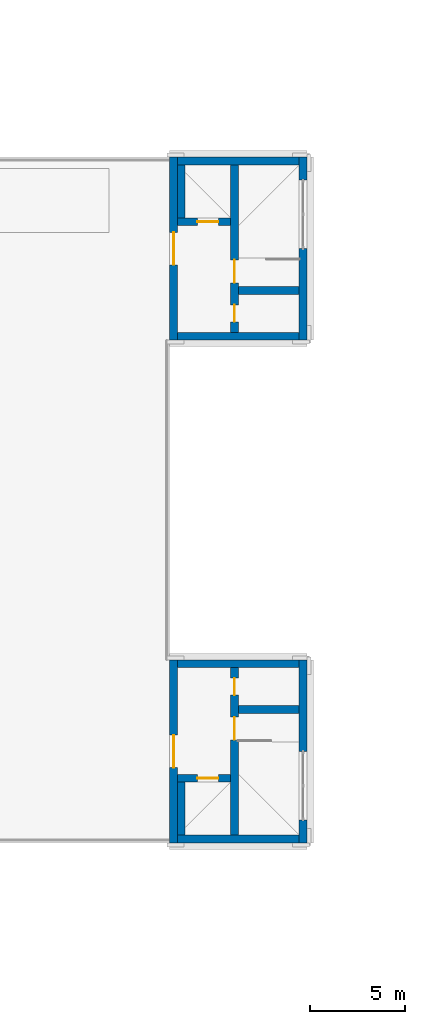
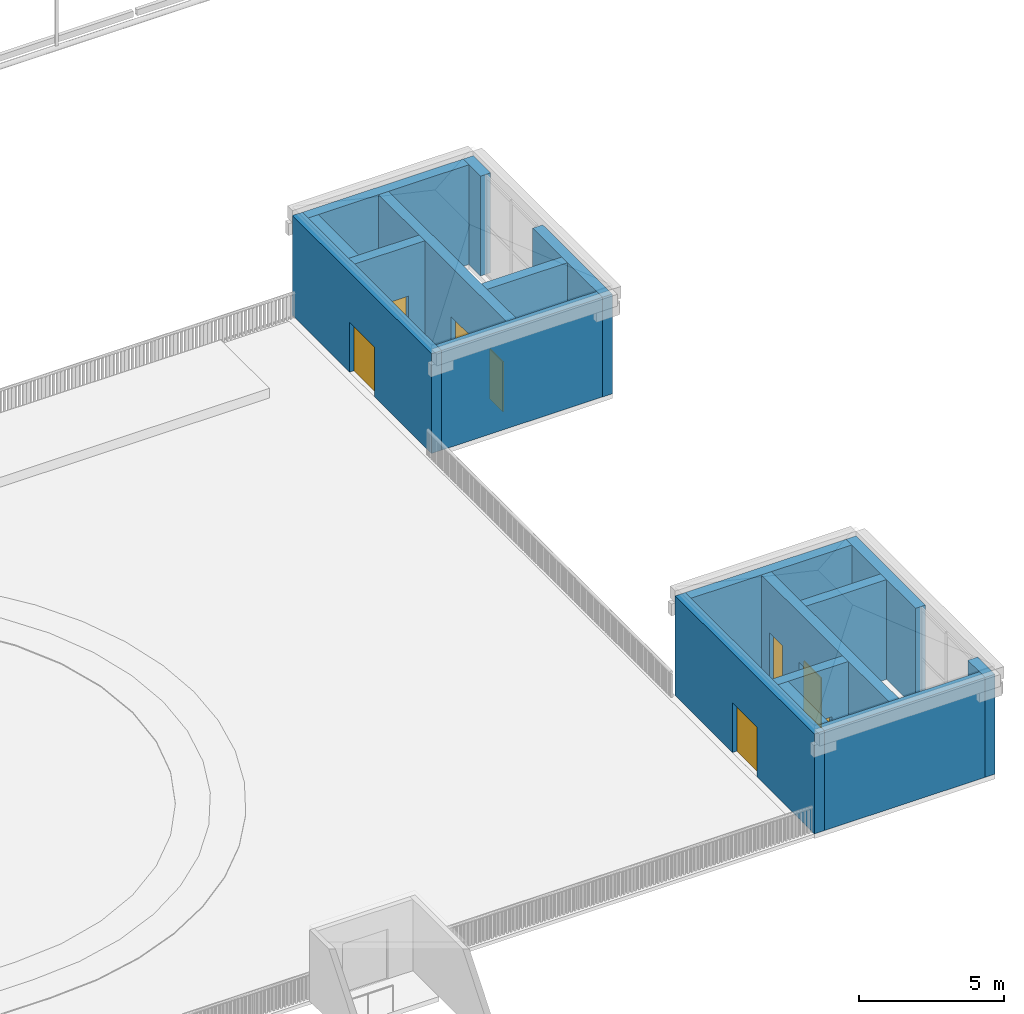
# One storey, part 74 of 127: 18 walls, 8 doors, 8 openings.
"""IFC4 building model written with IfcOpenShell, lengths in metres."""

from ifc_helpers import new_model, si_unit, direction, frame, frame_2d, origin, place, context, subcontext, project, spatial, rectangle, extrude, material, layer, layer_set, type_object, element, fill, save


model = new_model("IFC4")

# Units and contexts
model_context = context("Model", 3, precision=1e-05, world=origin(), true_north=direction((0.0, 1.0)))
body_context = subcontext(model_context, "Body", "Model", "MODEL_VIEW")
ifc_project = project(units=[si_unit("LENGTHUNIT", "METRE"), si_unit("AREAUNIT", "SQUARE_METRE"), si_unit("VOLUMEUNIT", "CUBIC_METRE"), si_unit("PLANEANGLEUNIT", "RADIAN"), si_unit("MASSUNIT", "GRAM", prefix="KILO")], contexts=[model_context])

# Site, building, storey
site_placement = place(None, origin())
site = spatial("IfcSite", under=ifc_project, at=site_placement, CompositionType="ELEMENT")
building_placement = place(site_placement, origin())
building = spatial("IfcBuilding", under=site, at=building_placement, Name="Verrick Yard Athletic Hall", CompositionType="ELEMENT")
storey_placement = place(building_placement, frame((0.0, 0.0, 14.0)))
storey = spatial("IfcBuildingStorey", under=building, at=storey_placement, Name="L03", CompositionType="ELEMENT", Elevation=14.0)

# Wall, openings, doors
ifc_material_1 = material(Name="Concrete 35 MPa", Category="concrete")
ifc_layer_1 = layer(ifc_material_1, 0.39990234375)
ifc_layer_set_1 = layer_set([ifc_layer_1], Name="Core wall CR400")
wall_type_1 = type_object("IfcWallType", Name="Core wall CR400", PredefinedType="SHEAR", material=ifc_layer_set_1)
wall_1_placement = place(storey_placement, frame((162.199951171875, 18.39990234375, 0.0), z_axis=(0.0, 0.0, 1.0), x_axis=(0.0, 1.0, 0.0)))
wall_1 = element("IfcWall", 1, at=wall_1_placement, inside=storey, type_object=wall_type_1, Name="CORE-CB3-WP-L03", PredefinedType="SHEAR", context=body_context, shape_type="SweptSolid", body=[
    extrude(rectangle(XDim=8.800048828125, YDim=0.39990234375, at=frame_2d((4.39990234375, 0.0))), origin(), (0.0, 0.0, 1.0), 4.199951171875),
])
opening_1_placement = place(wall_1_placement, frame((5.0, 0.0, 0.0)))
opening_1 = element("IfcOpeningElement", 2, at=opening_1_placement, cuts=wall_1, Name="Opening SD1", PredefinedType="OPENING", context=body_context, shape_type="SweptSolid", body=[
    extrude(rectangle(XDim=1.199951171875, YDim=2.10009765625, at=frame_2d((0.60009765625, 1.050048828125))), frame((0.0, 0.2099609375, 0.0), z_axis=(0.0, -1.0, 0.0), x_axis=(1.0, 0.0, 0.0)), (0.0, 0.0, 1.0), 0.419921875),
])
opening_2_placement = place(wall_1_placement, frame((7.35009765625, 0.0, 0.0)))
opening_2 = element("IfcOpeningElement", 3, at=opening_2_placement, cuts=wall_1, Name="Opening RD1", PredefinedType="OPENING", context=body_context, shape_type="SweptSolid", body=[
    extrude(rectangle(XDim=0.89990234375, YDim=2.10009765625, at=frame_2d((0.449951171875, 1.050048828125))), frame((0.0, 0.2099609375, 0.0), z_axis=(0.0, -1.0, 0.0), x_axis=(1.0, 0.0, 0.0)), (0.0, 0.0, 1.0), 0.419921875),
])
ifc_material_2 = material(Name="Hollow metal door leaf")
door_type_1 = type_object("IfcDoorType", Name="Core door RD1 900x2100", OperationType="NOTDEFINED", PredefinedType="DOOR", material=ifc_material_2)
door_1_placement = place(opening_2_placement, origin())
door_1 = element("IfcDoor", 4, at=door_1_placement, inside=storey, type_object=door_type_1, Name="CORE-CB3-WP-L03-DRD1-2620", OperationType="SINGLE_SWING_RIGHT", OverallHeight=2.10009765625, OverallWidth=0.89990234375, PredefinedType="DOOR", context=body_context, shape_type="SweptSolid", body=[
    extrude(rectangle(XDim=0.89990234375, YDim=2.10009765625, at=frame_2d((0.449951171875, 1.050048828125))), frame((0.0, 0.02490234375, 0.0), z_axis=(0.0, -1.0, 0.0), x_axis=(1.0, 0.0, 0.0)), (0.0, 0.0, 1.0), 0.050048828125),
])
fill(opening_2, door_1)
door_type_2 = type_object("IfcDoorType", Name="Core door SD1 1200x2100", OperationType="NOTDEFINED", PredefinedType="DOOR", material=ifc_material_2)
door_2_placement = place(opening_1_placement, origin())
door_2 = element("IfcDoor", 5, at=door_2_placement, inside=storey, type_object=door_type_2, Name="CORE-CB3-WP-L03-DSD1-2400", OperationType="SINGLE_SWING_RIGHT", OverallHeight=2.10009765625, OverallWidth=1.199951171875, PredefinedType="DOOR", context=body_context, shape_type="SweptSolid", body=[
    extrude(rectangle(XDim=1.199951171875, YDim=2.10009765625, at=frame_2d((0.60009765625, 1.050048828125))), frame((0.0, 0.02490234375, 0.0), z_axis=(0.0, -1.0, 0.0), x_axis=(1.0, 0.0, 0.0)), (0.0, 0.0, 1.0), 0.050048828125),
])
fill(opening_1, door_2)

# Wall
wall_2_placement = place(storey_placement, frame((162.39990234375, 25.0, 0.0), z_axis=(0.0, 0.0, 1.0), x_axis=(1.0, 0.0, 0.0)))
element("IfcWall", 6, at=wall_2_placement, inside=storey, type_object=wall_type_1, Name="CORE-CB3-WSN-L03", PredefinedType="SHEAR", context=body_context, shape_type="SweptSolid", body=[
    extrude(rectangle(XDim=3.2001953125, YDim=0.39990234375, at=frame_2d((1.60009765625, 0.0))), origin(), (0.0, 0.0, 1.0), 4.199951171875),
])

# Wall, opening, door
wall_3_placement = place(storey_placement, frame((159.199951171875, 21.39990234375, 0.0), z_axis=(0.0, 0.0, 1.0), x_axis=(1.0, 0.0, 0.0)))
wall_3 = element("IfcWall", 7, at=wall_3_placement, inside=storey, type_object=wall_type_1, Name="CORE-CB3-WLN-L03", PredefinedType="SHEAR", context=body_context, shape_type="SweptSolid", body=[
    extrude(rectangle(XDim=2.800048828125, YDim=0.39990234375, at=frame_2d((1.39990234375, 0.0))), origin(), (0.0, 0.0, 1.0), 4.199951171875),
])
opening_3_placement = place(wall_3_placement, frame((1.050048828125, 0.0, 0.0)))
opening_3 = element("IfcOpeningElement", 8, at=opening_3_placement, cuts=wall_3, Name="Opening LD", PredefinedType="OPENING", context=body_context, shape_type="SweptSolid", body=[
    extrude(rectangle(XDim=1.10009765625, YDim=2.10009765625, at=frame_2d((0.550048828125, 1.050048828125))), frame((0.0, 0.2099609375, 0.0), z_axis=(0.0, -1.0, 0.0), x_axis=(1.0, 0.0, 0.0)), (0.0, 0.0, 1.0), 0.419921875),
])
ifc_material_3 = material(Name="Stainless steel landing door", Category="steel")
door_type_3 = type_object("IfcDoorType", Name="Lift landing door LD 1100x2100", OperationType="NOTDEFINED", PredefinedType="DOOR", material=ifc_material_3)
door_3_placement = place(opening_3_placement, origin())
door_3 = element("IfcDoor", 9, at=door_3_placement, inside=storey, type_object=door_type_3, Name="Lift landing door", OperationType="SLIDING_TO_RIGHT", OverallHeight=2.10009765625, OverallWidth=1.10009765625, PredefinedType="DOOR", context=body_context, shape_type="SweptSolid", body=[
    extrude(rectangle(XDim=1.10009765625, YDim=2.10009765625, at=frame_2d((0.550048828125, 1.050048828125))), frame((0.0, 0.02490234375, 0.0), z_axis=(0.0, -1.0, 0.0), x_axis=(1.0, 0.0, 0.0)), (0.0, 0.0, 1.0), 0.050048828125),
])
fill(opening_3, door_3)

# Wall
wall_4_placement = place(storey_placement, frame((159.39990234375, 18.39990234375, 0.0), z_axis=(0.0, 0.0, 1.0), x_axis=(0.0, 1.0, 0.0)))
element("IfcWall", 10, at=wall_4_placement, inside=storey, type_object=wall_type_1, Name="CORE-CB3-WLE-L03", PredefinedType="SHEAR", context=body_context, shape_type="SweptSolid", body=[
    extrude(rectangle(XDim=2.800048828125, YDim=0.39990234375, at=frame_2d((1.39990234375, 0.0))), origin(), (0.0, 0.0, 1.0), 4.199951171875),
])

# Wall, openings, doors
wall_5_placement = place(storey_placement, frame((162.199951171875, 44.800048828125, 0.0), z_axis=(0.0, 0.0, 1.0), x_axis=(0.0, 1.0, 0.0)))
wall_5 = element("IfcWall", 11, at=wall_5_placement, inside=storey, type_object=wall_type_1, Name="CORE-CB4-WP-L03", PredefinedType="SHEAR", context=body_context, shape_type="SweptSolid", body=[
    extrude(rectangle(XDim=8.800048828125, YDim=0.39990234375, at=frame_2d((4.39990234375, 0.0))), origin(), (0.0, 0.0, 1.0), 4.199951171875),
])
opening_4_placement = place(wall_5_placement, frame((2.60009765625, 0.0, 0.0)))
opening_4 = element("IfcOpeningElement", 12, at=opening_4_placement, cuts=wall_5, Name="Opening SD1", PredefinedType="OPENING", context=body_context, shape_type="SweptSolid", body=[
    extrude(rectangle(XDim=1.199951171875, YDim=2.10009765625, at=frame_2d((0.60009765625, 1.050048828125))), frame((0.0, 0.2099609375, 0.0), z_axis=(0.0, -1.0, 0.0), x_axis=(1.0, 0.0, 0.0)), (0.0, 0.0, 1.0), 0.419921875),
])
opening_5_placement = place(wall_5_placement, frame((0.550048828125, 0.0, 0.0)))
opening_5 = element("IfcOpeningElement", 13, at=opening_5_placement, cuts=wall_5, Name="Opening RD1", PredefinedType="OPENING", context=body_context, shape_type="SweptSolid", body=[
    extrude(rectangle(XDim=0.89990234375, YDim=2.10009765625, at=frame_2d((0.449951171875, 1.050048828125))), frame((0.0, 0.2099609375, 0.0), z_axis=(0.0, -1.0, 0.0), x_axis=(1.0, 0.0, 0.0)), (0.0, 0.0, 1.0), 0.419921875),
])
door_4_placement = place(opening_5_placement, origin())
door_4 = element("IfcDoor", 14, at=door_4_placement, inside=storey, type_object=door_type_1, Name="CORE-CB4-WP-L03-DRD1-4580", OperationType="SINGLE_SWING_LEFT", OverallHeight=2.10009765625, OverallWidth=0.89990234375, PredefinedType="DOOR", context=body_context, shape_type="SweptSolid", body=[
    extrude(rectangle(XDim=0.89990234375, YDim=2.10009765625, at=frame_2d((0.449951171875, 1.050048828125))), frame((0.0, 0.02490234375, 0.0), z_axis=(0.0, -1.0, 0.0), x_axis=(1.0, 0.0, 0.0)), (0.0, 0.0, 1.0), 0.050048828125),
])
fill(opening_5, door_4)
door_5_placement = place(opening_4_placement, origin())
door_5 = element("IfcDoor", 15, at=door_5_placement, inside=storey, type_object=door_type_2, Name="CORE-CB4-WP-L03-DSD1-4800", OperationType="SINGLE_SWING_LEFT", OverallHeight=2.10009765625, OverallWidth=1.199951171875, PredefinedType="DOOR", context=body_context, shape_type="SweptSolid", body=[
    extrude(rectangle(XDim=1.199951171875, YDim=2.10009765625, at=frame_2d((0.60009765625, 1.050048828125))), frame((0.0, 0.02490234375, 0.0), z_axis=(0.0, -1.0, 0.0), x_axis=(1.0, 0.0, 0.0)), (0.0, 0.0, 1.0), 0.050048828125),
])
fill(opening_4, door_5)

# Wall
wall_6_placement = place(storey_placement, frame((162.39990234375, 47.0, 0.0), z_axis=(0.0, 0.0, 1.0), x_axis=(1.0, 0.0, 0.0)))
element("IfcWall", 16, at=wall_6_placement, inside=storey, type_object=wall_type_1, Name="CORE-CB4-WSN-L03", PredefinedType="SHEAR", context=body_context, shape_type="SweptSolid", body=[
    extrude(rectangle(XDim=3.2001953125, YDim=0.39990234375, at=frame_2d((1.60009765625, 0.0))), origin(), (0.0, 0.0, 1.0), 4.199951171875),
])

# Wall, opening, door
wall_7_placement = place(storey_placement, frame((159.199951171875, 50.60009765625, 0.0), z_axis=(0.0, 0.0, 1.0), x_axis=(1.0, 0.0, 0.0)))
wall_7 = element("IfcWall", 17, at=wall_7_placement, inside=storey, type_object=wall_type_1, Name="CORE-CB4-WLN-L03", PredefinedType="SHEAR", context=body_context, shape_type="SweptSolid", body=[
    extrude(rectangle(XDim=2.800048828125, YDim=0.39990234375, at=frame_2d((1.39990234375, 0.0))), origin(), (0.0, 0.0, 1.0), 4.199951171875),
])
opening_6_placement = place(wall_7_placement, frame((1.050048828125, 0.0, 0.0)))
opening_6 = element("IfcOpeningElement", 18, at=opening_6_placement, cuts=wall_7, Name="Opening LD", PredefinedType="OPENING", context=body_context, shape_type="SweptSolid", body=[
    extrude(rectangle(XDim=1.10009765625, YDim=2.10009765625, at=frame_2d((0.550048828125, 1.050048828125))), frame((0.0, 0.2099609375, 0.0), z_axis=(0.0, -1.0, 0.0), x_axis=(1.0, 0.0, 0.0)), (0.0, 0.0, 1.0), 0.419921875),
])
door_6_placement = place(opening_6_placement, origin())
door_6 = element("IfcDoor", 19, at=door_6_placement, inside=storey, type_object=door_type_3, Name="Lift landing door", OperationType="SLIDING_TO_LEFT", OverallHeight=2.10009765625, OverallWidth=1.10009765625, PredefinedType="DOOR", context=body_context, shape_type="SweptSolid", body=[
    extrude(rectangle(XDim=1.10009765625, YDim=2.10009765625, at=frame_2d((0.550048828125, 1.050048828125))), frame((0.0, 0.02490234375, 0.0), z_axis=(0.0, -1.0, 0.0), x_axis=(1.0, 0.0, 0.0)), (0.0, 0.0, 1.0), 0.050048828125),
])
fill(opening_6, door_6)

# Walls
wall_8_placement = place(storey_placement, frame((159.39990234375, 50.800048828125, 0.0), z_axis=(0.0, 0.0, 1.0), x_axis=(0.0, 1.0, 0.0)))
element("IfcWall", 20, at=wall_8_placement, inside=storey, type_object=wall_type_1, Name="CORE-CB4-WLE-L03", PredefinedType="SHEAR", context=body_context, shape_type="SweptSolid", body=[
    extrude(rectangle(XDim=2.800048828125, YDim=0.39990234375, at=frame_2d((1.39990234375, 0.0))), origin(), (0.0, 0.0, 1.0), 4.199951171875),
])
ifc_layer_2 = layer(ifc_material_1, 0.39990234375)
ifc_layer_set_2 = layer_set([ifc_layer_2], Name="External core wall CR400")
wall_type_2 = type_object("IfcWallType", Name="External core wall CR400", PredefinedType="SHEAR", material=ifc_layer_set_2)
wall_9_placement = place(storey_placement, frame((165.800048828125, 19.199951171875, 0.0), z_axis=(0.0, 0.0, 1.0), x_axis=(0.0, -1.0, 0.0)))
element("IfcWall", 21, at=wall_9_placement, inside=storey, type_object=wall_type_2, Name="CORE-CB3-WW-L03-0", PredefinedType="SHEAR", context=body_context, shape_type="SweptSolid", body=[
    extrude(rectangle(XDim=1.199951171875, YDim=0.39990234375, at=frame_2d((0.60009765625, 0.0))), origin(), (0.0, 0.0, 1.0), 4.199951171875),
])
wall_10_placement = place(storey_placement, frame((165.800048828125, 27.60009765625, 0.0), z_axis=(0.0, 0.0, 1.0), x_axis=(0.0, -1.0, 0.0)))
element("IfcWall", 22, at=wall_10_placement, inside=storey, type_object=wall_type_2, Name="CORE-CB3-WW-L03-1", PredefinedType="SHEAR", context=body_context, shape_type="SweptSolid", body=[
    extrude(rectangle(XDim=4.800048828125, YDim=0.39990234375, at=frame_2d((2.39990234375, 0.0))), origin(), (0.0, 0.0, 1.0), 4.199951171875),
])

# Wall, opening, door
wall_11_placement = place(storey_placement, frame((159.0, 18.0, 0.0), z_axis=(0.0, 0.0, 1.0), x_axis=(0.0, 1.0, 0.0)))
wall_11 = element("IfcWall", 23, at=wall_11_placement, inside=storey, type_object=wall_type_2, Name="CORE-CB3-WE-L03", PredefinedType="SHEAR", context=body_context, shape_type="SweptSolid", body=[
    extrude(rectangle(XDim=9.60009765625, YDim=0.39990234375, at=frame_2d((4.800048828125, 0.0))), origin(), (0.0, 0.0, 1.0), 4.199951171875),
])
opening_7_placement = place(wall_11_placement, frame((3.949951171875, 0.0, 0.0)))
opening_7 = element("IfcOpeningElement", 24, at=opening_7_placement, cuts=wall_11, Name="Opening SD3", PredefinedType="OPENING", context=body_context, shape_type="SweptSolid", body=[
    extrude(rectangle(XDim=1.699951171875, YDim=2.10009765625, at=frame_2d((0.85009765625, 1.050048828125))), frame((0.0, 0.2099609375, 0.0), z_axis=(0.0, -1.0, 0.0), x_axis=(1.0, 0.0, 0.0)), (0.0, 0.0, 1.0), 0.419921875),
])
door_type_4 = type_object("IfcDoorType", Name="Core door SD3 1700x2100", OperationType="NOTDEFINED", PredefinedType="DOOR", material=ifc_material_2)
door_7_placement = place(opening_7_placement, origin())
door_7 = element("IfcDoor", 25, at=door_7_placement, inside=storey, type_object=door_type_4, Name="CORE-CB3-WE-L03-DSD3-2280", OperationType="DOUBLE_DOOR_SINGLE_SWING", OverallHeight=2.10009765625, OverallWidth=1.699951171875, PredefinedType="DOOR", context=body_context, shape_type="SweptSolid", body=[
    extrude(rectangle(XDim=1.699951171875, YDim=2.10009765625, at=frame_2d((0.85009765625, 1.050048828125))), frame((0.0, 0.02490234375, 0.0), z_axis=(0.0, -1.0, 0.0), x_axis=(1.0, 0.0, 0.0)), (0.0, 0.0, 1.0), 0.050048828125),
])
fill(opening_7, door_7)

# Walls
for number, where, z_axis, x_axis, name in (
    (26, (159.199951171875, 18.199951171875, 0.0), (0.0, 0.0, 1.0), (1.0, 0.0, 0.0), "CORE-CB3-WS-L03"),
    (27, (159.199951171875, 27.39990234375, 0.0), (0.0, 0.0, 1.0), (1.0, 0.0, 0.0), "CORE-CB3-WN-L03"),
):
    element("IfcWall", number, at=place(storey_placement, frame(where, z_axis=z_axis, x_axis=x_axis)), inside=storey, type_object=wall_type_2, Name=name, PredefinedType="SHEAR", context=body_context, shape_type="SweptSolid", body=[
        extrude(rectangle(XDim=6.400146484375, YDim=0.39990234375, at=frame_2d((3.2001953125, 0.0))), origin(), (0.0, 0.0, 1.0), 4.199951171875),
    ])
wall_12_placement = place(storey_placement, frame((165.800048828125, 49.199951171875, 0.0), z_axis=(0.0, 0.0, 1.0), x_axis=(0.0, -1.0, 0.0)))
element("IfcWall", 28, at=wall_12_placement, inside=storey, type_object=wall_type_2, Name="CORE-CB4-WW-L03-0", PredefinedType="SHEAR", context=body_context, shape_type="SweptSolid", body=[
    extrude(rectangle(XDim=4.800048828125, YDim=0.39990234375, at=frame_2d((2.39990234375, 0.0))), origin(), (0.0, 0.0, 1.0), 4.199951171875),
])
wall_13_placement = place(storey_placement, frame((165.800048828125, 54.0, 0.0), z_axis=(0.0, 0.0, 1.0), x_axis=(0.0, -1.0, 0.0)))
element("IfcWall", 29, at=wall_13_placement, inside=storey, type_object=wall_type_2, Name="CORE-CB4-WW-L03-1", PredefinedType="SHEAR", context=body_context, shape_type="SweptSolid", body=[
    extrude(rectangle(XDim=1.199951171875, YDim=0.39990234375, at=frame_2d((0.60009765625, 0.0))), origin(), (0.0, 0.0, 1.0), 4.199951171875),
])

# Wall, opening, door
wall_14_placement = place(storey_placement, frame((159.0, 44.39990234375, 0.0), z_axis=(0.0, 0.0, 1.0), x_axis=(0.0, 1.0, 0.0)))
wall_14 = element("IfcWall", 30, at=wall_14_placement, inside=storey, type_object=wall_type_2, Name="CORE-CB4-WE-L03", PredefinedType="SHEAR", context=body_context, shape_type="SweptSolid", body=[
    extrude(rectangle(XDim=9.60009765625, YDim=0.39990234375, at=frame_2d((4.800048828125, 0.0))), origin(), (0.0, 0.0, 1.0), 4.199951171875),
])
opening_8_placement = place(wall_14_placement, frame((3.949951171875, 0.0, 0.0)))
opening_8 = element("IfcOpeningElement", 31, at=opening_8_placement, cuts=wall_14, Name="Opening SD3", PredefinedType="OPENING", context=body_context, shape_type="SweptSolid", body=[
    extrude(rectangle(XDim=1.699951171875, YDim=2.10009765625, at=frame_2d((0.85009765625, 1.050048828125))), frame((0.0, 0.2099609375, 0.0), z_axis=(0.0, -1.0, 0.0), x_axis=(1.0, 0.0, 0.0)), (0.0, 0.0, 1.0), 0.419921875),
])
door_8_placement = place(opening_8_placement, origin())
door_8 = element("IfcDoor", 32, at=door_8_placement, inside=storey, type_object=door_type_4, Name="CORE-CB4-WE-L03-DSD3-4920", OperationType="DOUBLE_DOOR_SINGLE_SWING", OverallHeight=2.10009765625, OverallWidth=1.699951171875, PredefinedType="DOOR", context=body_context, shape_type="SweptSolid", body=[
    extrude(rectangle(XDim=1.699951171875, YDim=2.10009765625, at=frame_2d((0.85009765625, 1.050048828125))), frame((0.0, 0.02490234375, 0.0), z_axis=(0.0, -1.0, 0.0), x_axis=(1.0, 0.0, 0.0)), (0.0, 0.0, 1.0), 0.050048828125),
])
fill(opening_8, door_8)

# Walls
for number, where, z_axis, x_axis, name in (
    (33, (159.199951171875, 53.800048828125, 0.0), (0.0, 0.0, 1.0), (1.0, 0.0, 0.0), "CORE-CB4-WS-L03"),
    (34, (159.199951171875, 44.60009765625, 0.0), (0.0, 0.0, 1.0), (1.0, 0.0, 0.0), "CORE-CB4-WN-L03"),
):
    element("IfcWall", number, at=place(storey_placement, frame(where, z_axis=z_axis, x_axis=x_axis)), inside=storey, type_object=wall_type_2, Name=name, PredefinedType="SHEAR", context=body_context, shape_type="SweptSolid", body=[
        extrude(rectangle(XDim=6.400146484375, YDim=0.39990234375, at=frame_2d((3.2001953125, 0.0))), origin(), (0.0, 0.0, 1.0), 4.199951171875),
    ])

save(model, "model.ifc")
